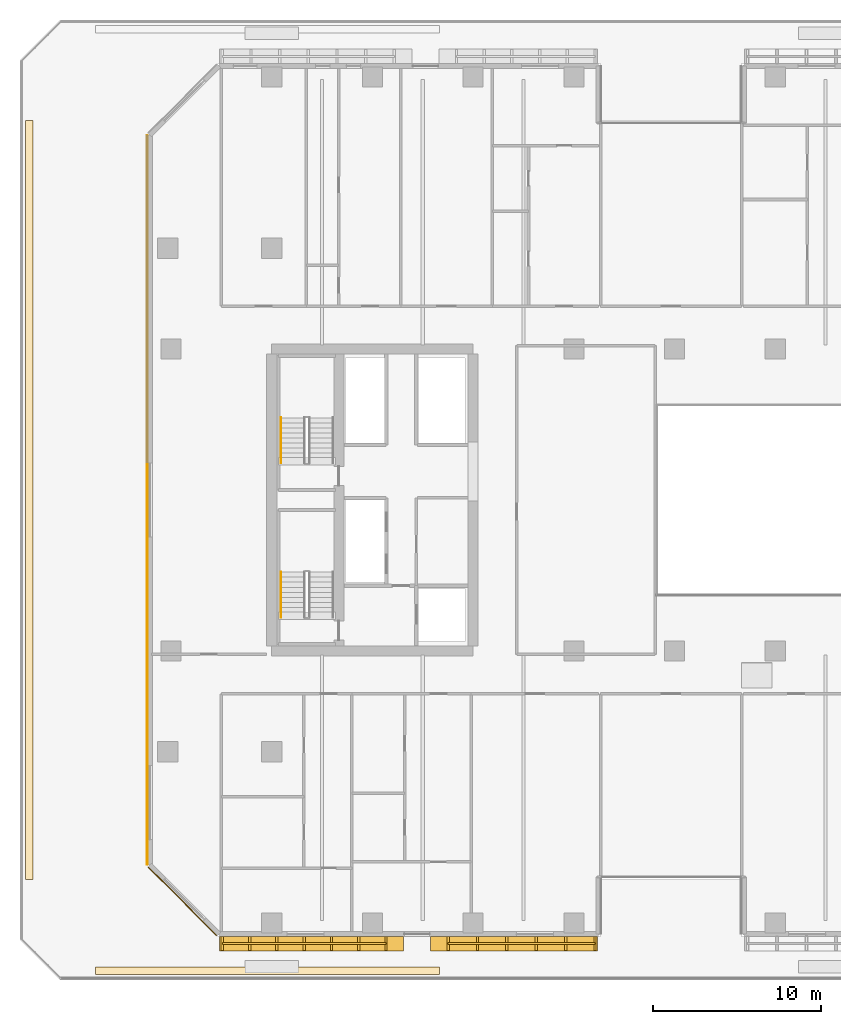
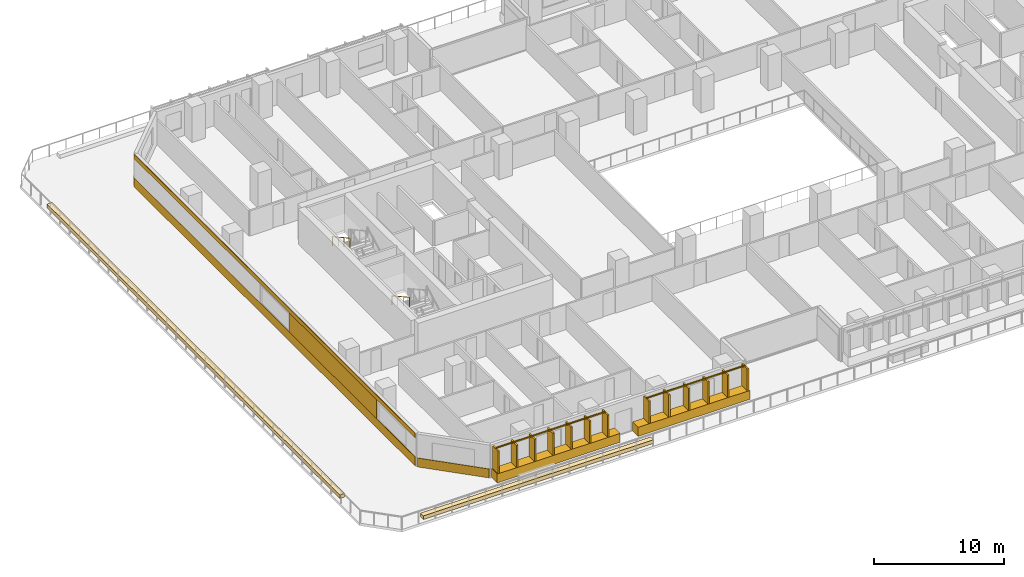
# One storey, part 14 of 23: 8 coverings, 4 railings.
"""IFC4 building model written with IfcOpenShell, lengths in metres."""

from ifc_helpers import new_model, si_unit, direction, frame, origin, origin_2d, place, context, subcontext, project, spatial, polyline, rectangle, outline, extrude, material, layer, layer_set, type_object, element, save


model = new_model("IFC4")

# Units and contexts
model_context = context("Model", 3, precision=1e-05, world=origin(), true_north=direction((0.0, 1.0)))
body_context = subcontext(model_context, "Body", "Model", "MODEL_VIEW")
ifc_project = project(units=[si_unit("LENGTHUNIT", "METRE"), si_unit("AREAUNIT", "SQUARE_METRE"), si_unit("VOLUMEUNIT", "CUBIC_METRE"), si_unit("PLANEANGLEUNIT", "RADIAN"), si_unit("MASSUNIT", "GRAM", prefix="KILO")], contexts=[model_context])

# Site, building, storey
site_placement = place(None, origin())
site = spatial("IfcSite", under=ifc_project, at=site_placement, CompositionType="ELEMENT")
building_placement = place(site_placement, origin())
building = spatial("IfcBuilding", under=site, at=building_placement, Name="Tanjung Sevakor Pilgrim Tower", CompositionType="ELEMENT")
storey_placement = place(building_placement, frame((0.0, 0.0, 29.0400390625)))
storey = spatial("IfcBuildingStorey", under=building, at=storey_placement, Name="L07", CompositionType="ELEMENT", Elevation=29.0400390625)

# Coverings
ifc_material_1 = material(Name="Reconstructed Limestone Cladding", Category="masonry")
ifc_layer_1 = layer(ifc_material_1, 0.044921875)
ifc_layer_set_1 = layer_set([ifc_layer_1], Name="COV-CLAD-LIMESTONE")
covering_type_1 = type_object("IfcCoveringType", Name="COV-CLAD-LIMESTONE", PredefinedType="CLADDING", material=ifc_layer_set_1)
covering_1_placement = place(storey_placement, frame((26.37353515625, 7.169921875, 0.009765625), z_axis=(0.0, 0.0, 1.0), x_axis=(1.0, 0.0, 0.0)))
element("IfcCovering", 1, at=covering_1_placement, inside=storey, type_object=covering_type_1, Name="L07 Warm Limestone Sill Spandrel EW-L07-MAIN-1-1", PredefinedType="CLADDING", context=body_context, shape_type="SweptSolid", body=[
    extrude(rectangle(XDim=10.950927734375, YDim=0.860107421875, at=origin_2d()), origin(), (0.0, 0.0, 1.0), 0.840087890625),
])
covering_2_placement = place(storey_placement, frame((38.444580078125, 7.169921875, 0.009765625), z_axis=(0.0, 0.0, 1.0), x_axis=(1.0, 0.0, 0.0)))
element("IfcCovering", 2, at=covering_2_placement, inside=storey, type_object=covering_type_1, Name="L07 Warm Limestone Sill Spandrel EW-L07-MAIN-1-2", PredefinedType="CLADDING", context=body_context, shape_type="SweptSolid", body=[
    extrude(rectangle(XDim=9.950927734375, YDim=0.860107421875, at=origin_2d()), origin(), (0.0, 0.0, 1.0), 0.840087890625),
])
covering_3_placement = place(storey_placement, frame((16.577392578125, 33.60009765625, 0.009765625), z_axis=(0.0, 0.0, 1.0), x_axis=(0.0, -1.0, 0.0)))
element("IfcCovering", 3, at=covering_3_placement, inside=storey, type_object=covering_type_1, Name="L07 Warm Limestone Sill Spandrel EW-L07-MAIN-15-1", PredefinedType="CLADDING", context=body_context, shape_type="SweptSolid", body=[
    extrude(rectangle(XDim=43.404052734375, YDim=0.044921875, at=origin_2d()), origin(), (0.0, 0.0, 1.0), 0.840087890625),
])
covering_4_placement = place(storey_placement, frame((16.577392578125, 33.60009765625, 2.66015625), z_axis=(0.0, 0.0, 1.0), x_axis=(0.0, -1.0, 0.0)))
element("IfcCovering", 4, at=covering_4_placement, inside=storey, type_object=covering_type_1, Name="L07 Warm Limestone Cornice Spandrel EW-L07-MAIN-15", PredefinedType="CLADDING", context=body_context, shape_type="SweptSolid", body=[
    extrude(rectangle(XDim=43.444091796875, YDim=0.044921875, at=origin_2d()), origin(), (0.0, 0.0, 1.0), 0.409912109375),
])
covering_5_placement = place(storey_placement, frame((16.577392578125, 24.58447265625, 0.849853515625), z_axis=(0.0, 0.0, 1.0), x_axis=(0.0, -1.0, 0.0)))
element("IfcCovering", 5, at=covering_5_placement, inside=storey, type_object=covering_type_1, Name="L07 Warm Limestone Pier Panel EW-L07-MAIN-15-2", PredefinedType="CLADDING", context=body_context, shape_type="SweptSolid", body=[
    extrude(rectangle(XDim=13.531005859375, YDim=0.044921875, at=origin_2d()), origin(), (0.0, 0.0, 1.0), 1.81005859375),
])
covering_6_placement = place(storey_placement, frame((18.68408203125, 9.68408203125, 0.009765625), z_axis=(0.0, 0.0, 1.0), x_axis=(0.707106781187, -0.707106781187, 0.0)))
element("IfcCovering", 6, at=covering_6_placement, inside=storey, type_object=covering_type_1, Name="L07 Warm Limestone Sill Spandrel EW-CHM-L07-MAIN-15-1", PredefinedType="CLADDING", context=body_context, shape_type="SweptSolid", body=[
    extrude(rectangle(XDim=5.74365234375, YDim=0.044921875, at=origin_2d()), origin(), (0.0, 0.0, 1.0), 0.840087890625),
])
ifc_material_2 = material(Name="Vegetated Modular Planter Assembly", Category="organic")
ifc_layer_2 = layer(ifc_material_2, 0.35009765625)
ifc_layer_set_2 = layer_set([ifc_layer_2], Name="COV-GRN-TROUGH")
covering_type_2 = type_object("IfcCoveringType", Name="COV-GRN-TROUGH", PredefinedType="CLADDING", material=ifc_layer_set_2)
covering_7_placement = place(storey_placement, origin())
element("IfcCovering", 7, at=covering_7_placement, inside=storey, type_object=covering_type_2, Name="L07 Planted Landscape Hedge Trough PGRN-L07-SW", PredefinedType="CLADDING", context=body_context, shape_type="SweptSolid", body=[
    extrude(outline(polyline([(13.5, 5.330078125), (34.0, 5.330078125), (34.0, 5.77001953125), (13.5, 5.77001953125), (13.5, 5.330078125)])), origin(), (0.0, 0.0, 1.0), 0.349853515625),
])
covering_8_placement = place(storey_placement, origin())
element("IfcCovering", 8, at=covering_8_placement, inside=storey, type_object=covering_type_2, Name="L07 Planted Landscape Hedge Trough PGRN-L07-W", PredefinedType="CLADDING", context=body_context, shape_type="SweptSolid", body=[
    extrude(outline(polyline([(9.77001953125, 11.0), (9.77001953125, 56.199951171875), (9.330078125, 56.199951171875), (9.330078125, 11.0), (9.77001953125, 11.0)])), origin(), (0.0, 0.0, 1.0), 0.349853515625),
])

# Railings
ifc_material_3 = material(Name="Anodised Bronze Aluminium 6063-T6", Category="aluminium")
railing_type_1 = type_object("IfcRailingType", Name="RL-FIN-SCREEN", PredefinedType="BALUSTRADE", material=ifc_material_3)
railing_1_placement = place(storey_placement, frame((21.05810546875, 7.175048828125, 0.83984375)))
element("IfcRailing", 9, at=railing_1_placement, inside=storey, type_object=railing_type_1, Name="L07 Vertical Bronze-Gold Solar Fin Screen FNSCR-EW-L07-MAIN-1-1", PredefinedType="BALUSTRADE", context=body_context, shape_type="SweptSolid", body=[
    extrude(rectangle(XDim=0.105, YDim=0.105), frame((0.0, 0.0, 2.157470703125), z_axis=(1.0, 0.0, 0.0), x_axis=(0.0, 1.0, 0.0)), (0.0, 0.0, 1.0), 9.7509765625),
    extrude(rectangle(XDim=0.14, YDim=0.85), origin(), (0.0, 0.0, 1.0), 2.10498046875),
    extrude(rectangle(XDim=0.14, YDim=0.85), frame((1.625244140625, 0.0, 0.0)), (0.0, 0.0, 1.0), 2.10498046875),
    extrude(rectangle(XDim=0.14, YDim=0.85), frame((3.250244140625, 0.0, 0.0)), (0.0, 0.0, 1.0), 2.10498046875),
    extrude(rectangle(XDim=0.14, YDim=0.85), frame((4.87548828125, 0.0, 0.0)), (0.0, 0.0, 1.0), 2.10498046875),
    extrude(rectangle(XDim=0.14, YDim=0.85), frame((6.500732421875, 0.0, 0.0)), (0.0, 0.0, 1.0), 2.10498046875),
    extrude(rectangle(XDim=0.14, YDim=0.85), frame((8.125732421875, 0.0, 0.0)), (0.0, 0.0, 1.0), 2.10498046875),
    extrude(rectangle(XDim=0.14, YDim=0.85), frame((9.7509765625, 0.0, 0.0)), (0.0, 0.0, 1.0), 2.10498046875),
])
railing_2_placement = place(storey_placement, frame((34.509033203125, 7.175048828125, 0.83984375)))
element("IfcRailing", 10, at=railing_2_placement, inside=storey, type_object=railing_type_1, Name="L07 Vertical Bronze-Gold Solar Fin Screen FNSCR-EW-L07-MAIN-1-2", PredefinedType="BALUSTRADE", context=body_context, shape_type="SweptSolid", body=[
    extrude(rectangle(XDim=0.105, YDim=0.105), frame((0.0, 0.0, 2.157470703125), z_axis=(1.0, 0.0, 0.0), x_axis=(0.0, 1.0, 0.0)), (0.0, 0.0, 1.0), 8.7509765625),
    extrude(rectangle(XDim=0.14, YDim=0.85), origin(), (0.0, 0.0, 1.0), 2.10498046875),
    extrude(rectangle(XDim=0.14, YDim=0.85), frame((1.750244140625, 0.0, 0.0)), (0.0, 0.0, 1.0), 2.10498046875),
    extrude(rectangle(XDim=0.14, YDim=0.85), frame((3.50048828125, 0.0, 0.0)), (0.0, 0.0, 1.0), 2.10498046875),
    extrude(rectangle(XDim=0.14, YDim=0.85), frame((5.25048828125, 0.0, 0.0)), (0.0, 0.0, 1.0), 2.10498046875),
    extrude(rectangle(XDim=0.14, YDim=0.85), frame((7.000732421875, 0.0, 0.0)), (0.0, 0.0, 1.0), 2.10498046875),
    extrude(rectangle(XDim=0.14, YDim=0.85), frame((8.7509765625, 0.0, 0.0)), (0.0, 0.0, 1.0), 2.10498046875),
])
ifc_material_4 = material(Name="Steel S355J2", Category="steel")
railing_type_2 = type_object("IfcRailingType", Name="RL-STAIR-HAND", PredefinedType="HANDRAIL", material=ifc_material_4)
for number, where, name in (
    (11, (24.550048828125, 29.300048828125, 1.81494140625), "L07 TS-W1 stair handrail 2"),
    (12, (24.550048828125, 38.5, 1.81494140625), "L07 TS-W2 stair handrail 2"),
):
    element("IfcRailing", number, at=place(storey_placement, frame(where)), inside=storey, type_object=railing_type_2, Name=name, PredefinedType="HANDRAIL", context=body_context, shape_type="SweptSolid", body=[
        extrude(rectangle(XDim=0.0479, YDim=0.0479), frame((0.0, 0.0, 0.8759765625), z_axis=(0.0, -0.876197507361, 0.481952205197), x_axis=(1.0, 0.0, 0.0)), (0.0, 0.0, 1.0), 3.08154296875),
        extrude(rectangle(XDim=0.042, YDim=0.042), origin(), (0.0, 0.0, 1.0), 0.851806640625),
        extrude(rectangle(XDim=0.042, YDim=0.042), frame((0.0, -0.89990234375, 0.4951171875)), (0.0, 0.0, 1.0), 0.851806640625),
        extrude(rectangle(XDim=0.042, YDim=0.042), frame((0.0, -1.800048828125, 0.989990234375)), (0.0, 0.0, 1.0), 0.851806640625),
        extrude(rectangle(XDim=0.042, YDim=0.042), frame((0.0, -2.699951171875, 1.485107421875)), (0.0, 0.0, 1.0), 0.851806640625),
    ])

save(model, "model.ifc")
